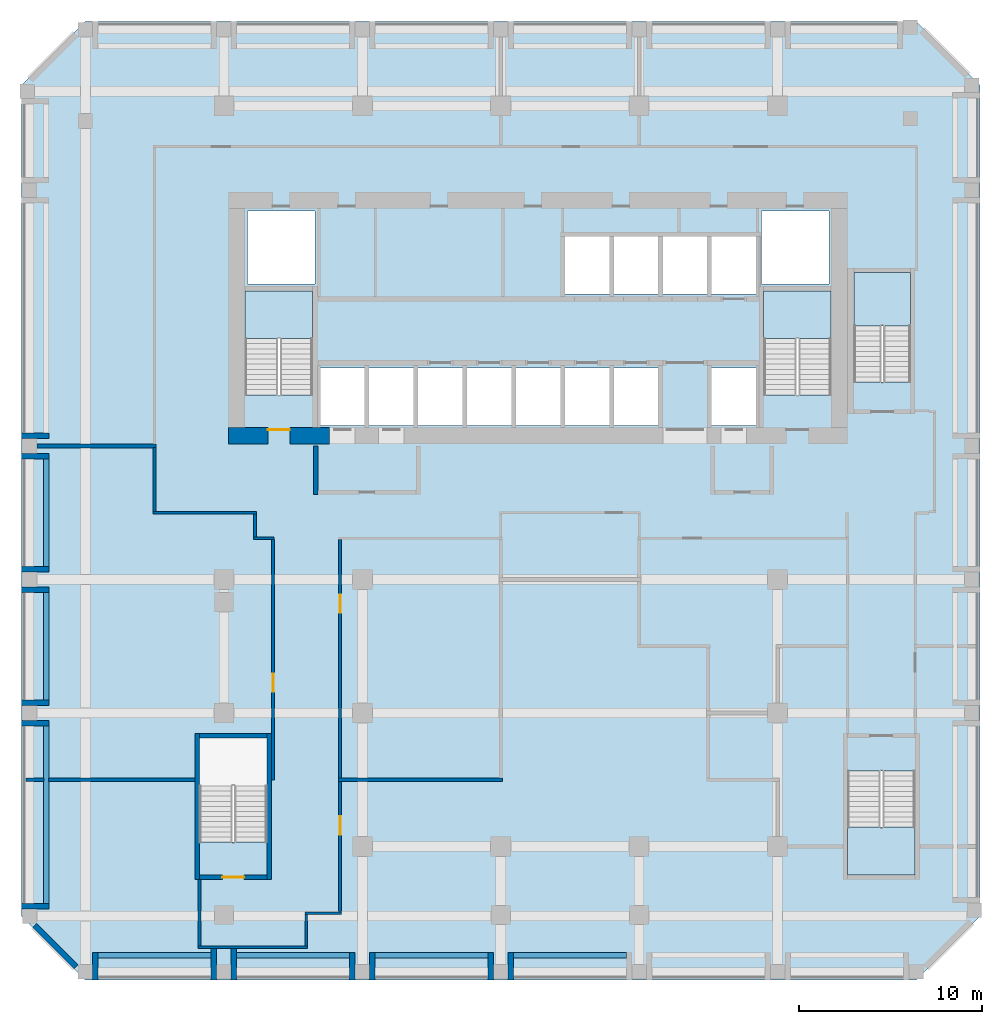
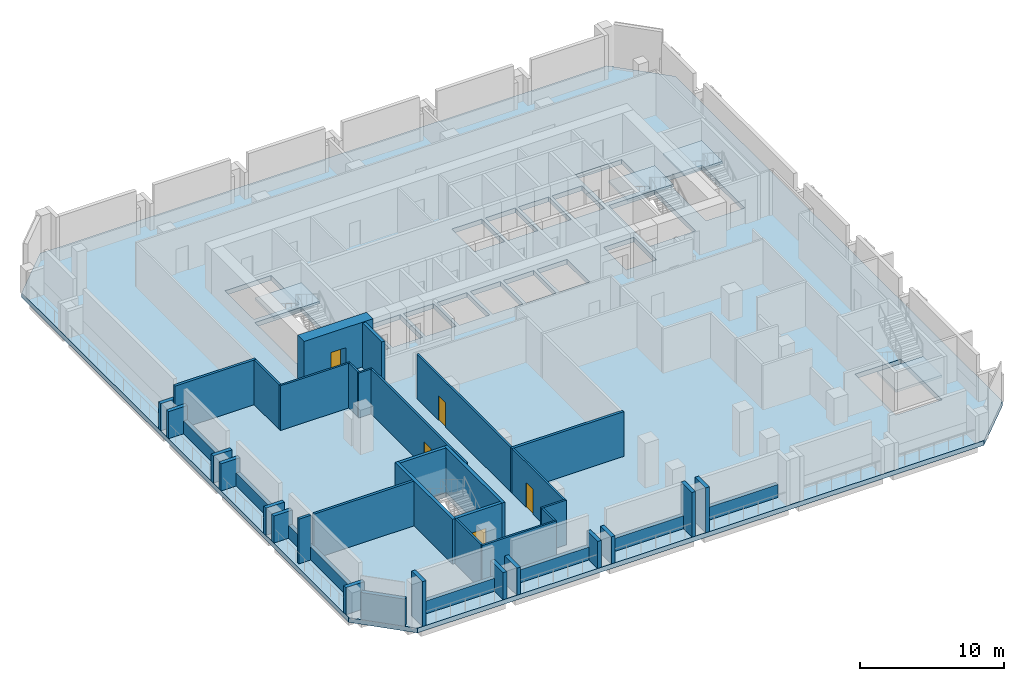
# One storey, part 2 of 10: 43 walls, 5 doors, 5 slabs, 5 openings, 4 elements without a shape of their own.
"""IFC4 building model written with IfcOpenShell, lengths in metres."""

from ifc_helpers import new_model, si_unit, direction, frame, frame_2d, origin, place, context, subcontext, project, spatial, polyline, rectangle, outline, extrude, source, transform, mapped, material, layer, layer_set, type_object, element, fill, aggregate, save


model = new_model("IFC4")

# Units and contexts
model_context = context("Model", 3, precision=1e-05, world=origin(), true_north=direction((0.0, 1.0)))
body_context = subcontext(model_context, "Body", "Model", "MODEL_VIEW")
ifc_project = project(units=[si_unit("LENGTHUNIT", "METRE"), si_unit("AREAUNIT", "SQUARE_METRE"), si_unit("VOLUMEUNIT", "CUBIC_METRE"), si_unit("PLANEANGLEUNIT", "RADIAN"), si_unit("MASSUNIT", "GRAM", prefix="KILO")], contexts=[model_context])

# Site, building, storey
site_placement = place(None, origin())
site = spatial("IfcSite", under=ifc_project, at=site_placement, CompositionType="ELEMENT")
building_placement = place(site_placement, origin())
building = spatial("IfcBuilding", under=site, at=building_placement, Name="Kilnfold Tower and Market Hall", CompositionType="ELEMENT")
storey_placement = place(building_placement, frame((0.0, 0.0, 164.300048828125)))
storey = spatial("IfcBuildingStorey", under=building, at=storey_placement, Name="L38 Plant Transfer Level", CompositionType="ELEMENT", Elevation=164.300048828125)

# Slab
ifc_material_1 = material(Name="Concrete C45", Category="concrete")
ifc_layer_1 = layer(ifc_material_1, 0.39990234375)
ifc_layer_set_1 = layer_set([ifc_layer_1], Name="Concrete C45")
slab_type_1 = type_object("IfcSlabType", Name="FLOOR SLAB 400", PredefinedType="FLOOR", material=ifc_layer_set_1)
shared_shape_1 = source(origin(), body_context, "Body", "SweptSolid", [
    extrude(outline(polyline([(-23.75, -21.25), (21.75, -21.25), (25.25, -17.75), (25.25, 27.75), (21.75, 31.25), (-23.75, 31.25), (-27.25, 27.75), (-27.25, -17.75), (-23.75, -21.25)]), holes=[polyline([(-13.800537109375, -13.699462890625), (-17.49951171875, -13.699462890625), (-17.49951171875, -8.00048828125), (-13.800537109375, -8.00048828125), (-13.800537109375, -13.699462890625)]), polyline([(-14.99951171875, 10.800537109375), (-14.99951171875, 16.49951171875), (-11.300537109375, 16.49951171875), (-11.300537109375, 10.800537109375), (-14.99951171875, 10.800537109375)]), polyline([(-11.175048828125, 16.875), (-14.875, 16.875), (-14.875, 20.875), (-11.175048828125, 20.875), (-11.175048828125, 16.875)]), polyline([(-8.455078125, 9.125), (-10.885009765625, 9.125), (-10.885009765625, 12.27490234375), (-8.455078125, 12.27490234375), (-8.455078125, 9.125)]), polyline([(-5.77490234375, 9.125), (-8.205078125, 9.125), (-8.205078125, 12.27490234375), (-5.77490234375, 12.27490234375), (-5.77490234375, 9.125)]), polyline([(-3.094970703125, 9.125), (-5.52490234375, 9.125), (-5.52490234375, 12.27490234375), (-3.094970703125, 12.27490234375), (-3.094970703125, 9.125)]), polyline([(-0.4150390625, 9.125), (-2.844970703125, 9.125), (-2.844970703125, 12.27490234375), (-0.4150390625, 12.27490234375), (-0.4150390625, 9.125)]), polyline([(2.264892578125, 9.125), (-0.1650390625, 9.125), (-0.1650390625, 12.27490234375), (2.264892578125, 12.27490234375), (2.264892578125, 9.125)]), polyline([(4.945068359375, 9.125), (2.514892578125, 9.125), (2.514892578125, 12.27490234375), (4.945068359375, 12.27490234375), (4.945068359375, 9.125)]), polyline([(2.514892578125, 16.324951171875), (2.514892578125, 19.47509765625), (4.945068359375, 19.47509765625), (4.945068359375, 16.324951171875), (2.514892578125, 16.324951171875)]), polyline([(7.625, 9.125), (5.195068359375, 9.125), (5.195068359375, 12.27490234375), (7.625, 12.27490234375), (7.625, 9.125)]), polyline([(7.625, 16.324951171875), (5.195068359375, 16.324951171875), (5.195068359375, 19.47509765625), (7.625, 19.47509765625), (7.625, 16.324951171875)]), polyline([(10.304931640625, 16.324951171875), (7.875, 16.324951171875), (7.875, 19.47509765625), (10.304931640625, 19.47509765625), (10.304931640625, 16.324951171875)]), polyline([(10.554931640625, 9.125), (10.554931640625, 12.27490234375), (12.985107421875, 12.27490234375), (12.985107421875, 9.125), (10.554931640625, 9.125)]), polyline([(10.554931640625, 16.324951171875), (10.554931640625, 19.47509765625), (12.985107421875, 19.47509765625), (12.985107421875, 16.324951171875), (10.554931640625, 16.324951171875)]), polyline([(13.27490234375, 16.875), (13.27490234375, 20.875), (16.97509765625, 20.875), (16.97509765625, 16.875), (13.27490234375, 16.875)]), polyline([(13.400390625, 10.800537109375), (13.400390625, 16.49951171875), (17.099609375, 16.49951171875), (17.099609375, 10.800537109375), (13.400390625, 10.800537109375)]), polyline([(18.00048828125, -9.800537109375), (21.699462890625, -9.800537109375), (21.699462890625, -15.49951171875), (18.00048828125, -15.49951171875), (18.00048828125, -9.800537109375)]), polyline([(21.449462890625, 11.50048828125), (18.3505859375, 11.50048828125), (18.3505859375, 17.49951171875), (21.449462890625, 17.49951171875), (21.449462890625, 11.50048828125)])]), origin(), (0.0, 0.0, 1.0), 0.400146484375),
])
slab_1_placement = place(storey_placement, frame((0.0, 0.0, -0.400146484375)))
element("IfcSlab", 1, at=slab_1_placement, inside=storey, type_object=slab_type_1, Name="Floor slab L38", PredefinedType="FLOOR", context=body_context, shape_type="MappedRepresentation", body=[
    mapped(shared_shape_1, transform((0.0, 0.0, 0.0))),
])

# Stair, slab
ifc_material_2 = material(Name="Concrete C40/50", Category="concrete")
stair_type_1 = type_object("IfcStairType", Name="CORE STAIR 1800", PredefinedType="HALF_TURN_STAIR", material=ifc_material_2)
stair_1_placement = place(storey_placement, origin())
stair_1 = element("IfcStair", 2, at=stair_1_placement, inside=storey, type_object=stair_type_1, Name="L38 Plant Transfer Level ST1", PredefinedType="HALF_TURN_STAIR")
ifc_material_3 = material(Name="Concrete C40/50", Category="concrete")
ifc_layer_2 = layer(ifc_material_3, 0.199951171875)
ifc_layer_set_2 = layer_set([ifc_layer_2], Name="Concrete C40/50")
slab_type_2 = type_object("IfcSlabType", Name="CORE STAIR LANDING 200", PredefinedType="LANDING", material=ifc_layer_set_2)
shared_shape_2 = source(origin(), body_context, "Body", "SweptSolid", [
    extrude(outline(polyline([(-11.300048828125, 13.8798828125), (-11.300048828125, 16.5), (-15.0, 16.5), (-15.0, 13.8798828125), (-11.300048828125, 13.8798828125)])), origin(), (0.0, 0.0, 1.0), 0.199951171875),
])
slab_2_placement = place(storey_placement, frame((0.0, 0.0, 1.89990234375)))
slab_2 = element("IfcSlab", 3, at=slab_2_placement, type_object=slab_type_2, Name="ST1 landing 1", PredefinedType="LANDING", context=body_context, shape_type="MappedRepresentation", body=[
    mapped(shared_shape_2, transform((0.0, 0.0, 0.0))),
])
aggregate(stair_1, [slab_2])

stair_2_placement = place(storey_placement, origin())
stair_2 = element("IfcStair", 4, at=stair_2_placement, inside=storey, type_object=stair_type_1, Name="L38 Plant Transfer Level ST2", PredefinedType="HALF_TURN_STAIR")
shared_shape_3 = source(origin(), body_context, "Body", "SweptSolid", [
    extrude(outline(polyline([(17.10009765625, 13.8798828125), (17.10009765625, 16.5), (13.39990234375, 16.5), (13.39990234375, 13.8798828125), (17.10009765625, 13.8798828125)])), origin(), (0.0, 0.0, 1.0), 0.199951171875),
])
slab_3_placement = place(storey_placement, frame((0.0, 0.0, 1.89990234375)))
slab_3 = element("IfcSlab", 5, at=slab_3_placement, type_object=slab_type_2, Name="ST2 landing 1", PredefinedType="LANDING", context=body_context, shape_type="MappedRepresentation", body=[
    mapped(shared_shape_3, transform((0.0, 0.0, 0.0))),
])
aggregate(stair_2, [slab_3])

stair_3_placement = place(storey_placement, origin())
stair_3 = element("IfcStair", 6, at=stair_3_placement, inside=storey, type_object=stair_type_1, Name="L38 Plant Transfer Level ST4", PredefinedType="HALF_TURN_STAIR")
shared_shape_4 = source(origin(), body_context, "Body", "SweptSolid", [
    extrude(outline(polyline([(18.0, -12.8798828125), (18.0, -15.5), (21.699951171875, -15.5), (21.699951171875, -12.8798828125), (18.0, -12.8798828125)])), origin(), (0.0, 0.0, 1.0), 0.199951171875),
])
slab_4_placement = place(storey_placement, frame((0.0, 0.0, 1.89990234375)))
slab_4 = element("IfcSlab", 7, at=slab_4_placement, type_object=slab_type_2, Name="ST4 landing 1", PredefinedType="LANDING", context=body_context, shape_type="MappedRepresentation", body=[
    mapped(shared_shape_4, transform((0.0, 0.0, 0.0))),
])
aggregate(stair_3, [slab_4])

ifc_material_4 = material(Name="Concrete C40/50", Category="concrete")
stair_type_2 = type_object("IfcStairType", Name="CORE STAIR 1500", PredefinedType="HALF_TURN_STAIR", material=ifc_material_4)
stair_4_placement = place(storey_placement, origin())
stair_4 = element("IfcStair", 8, at=stair_4_placement, inside=storey, type_object=stair_type_2, Name="L38 Plant Transfer Level ST5", PredefinedType="HALF_TURN_STAIR")
shared_shape_5 = source(origin(), body_context, "Body", "SweptSolid", [
    extrude(outline(polyline([(21.449951171875, 14.580078125), (21.449951171875, 17.5), (18.35009765625, 17.5), (18.35009765625, 14.580078125), (21.449951171875, 14.580078125)])), origin(), (0.0, 0.0, 1.0), 0.199951171875),
])
slab_5_placement = place(storey_placement, frame((0.0, 0.0, 1.89990234375)))
slab_5 = element("IfcSlab", 9, at=slab_5_placement, type_object=slab_type_2, Name="ST5 landing 1", PredefinedType="LANDING", context=body_context, shape_type="MappedRepresentation", body=[
    mapped(shared_shape_5, transform((0.0, 0.0, 0.0))),
])
aggregate(stair_4, [slab_5])

# Walls
ifc_material_5 = material(Name="Gypsum board on steel studs", Category="steel")
ifc_layer_3 = layer(ifc_material_5, 0.14990234375)
ifc_layer_set_3 = layer_set([ifc_layer_3], Name="Gypsum board on steel studs")
wall_type_1 = type_object("IfcWallType", Name="WALL CORRIDOR 150", PredefinedType="PARTITIONING", material=ifc_layer_set_3)
wall_1_placement = place(storey_placement, frame((-20.033935546875, 4.343994140625, 0.0), z_axis=(0.0, 0.0, 1.0), x_axis=(1.0, 0.0, 0.0)))
element("IfcWall", 10, at=wall_1_placement, inside=storey, type_object=wall_type_1, Name="Partition LY25.1", PredefinedType="PARTITIONING", context=body_context, shape_type="SweptSolid", body=[
    extrude(rectangle(XDim=5.64892578125, YDim=0.14990234375, at=frame_2d((2.824462890625, 0.0))), origin(), (0.0, 0.0, 1.0), 3.800048828125),
])
wall_2_placement = place(storey_placement, frame((-19.958984375, 4.4189453125, 0.0), z_axis=(0.0, 0.0, 1.0), x_axis=(0.0, 1.0, 0.0)))
element("IfcWall", 11, at=wall_2_placement, inside=storey, type_object=wall_type_1, Name="Partition LY25.2", PredefinedType="PARTITIONING", context=body_context, shape_type="SweptSolid", body=[
    extrude(rectangle(XDim=3.490966796875, YDim=0.14990234375, at=frame_2d((1.74560546875, 0.0))), origin(), (0.0, 0.0, 1.0), 3.800048828125),
])

# Wall, opening, door
wall_3_placement = place(storey_placement, frame((-13.469970703125, 2.875, 0.0), z_axis=(0.0, 0.0, 1.0), x_axis=(0.0, -1.0, 0.0)))
wall_3 = element("IfcWall", 12, at=wall_3_placement, inside=storey, type_object=wall_type_1, Name="Partition LY25.3", PredefinedType="PARTITIONING", context=body_context, shape_type="SweptSolid", body=[
    extrude(rectangle(XDim=13.1669921875, YDim=0.14990234375, at=frame_2d((6.58349609375, 0.0))), origin(), (0.0, 0.0, 1.0), 3.800048828125),
])
opening_1_placement = place(wall_3_placement, frame((7.341064453125, 0.0, 0.0)))
opening_1 = element("IfcOpeningElement", 13, at=opening_1_placement, cuts=wall_3, Name="Opening D4", PredefinedType="OPENING", context=body_context, shape_type="SweptSolid", body=[
    extrude(rectangle(XDim=1.0, YDim=2.10009765625, at=frame_2d((0.5, 1.050048828125))), frame((0.0, 0.0849609375, 0.0), z_axis=(0.0, -1.0, 0.0), x_axis=(1.0, 0.0, 0.0)), (0.0, 0.0, 1.0), 0.169921875),
])
ifc_material_6 = material(Name="Timber veneer door leaf in steel frame", Category="steel")
door_type_1 = type_object("IfcDoorType", Name="DOOR SERVICE 1000 X2100", OperationType="NOTDEFINED", PredefinedType="DOOR", material=ifc_material_6)
door_1_placement = place(opening_1_placement, origin())
door_1 = element("IfcDoor", 14, at=door_1_placement, inside=storey, type_object=door_type_1, Name="Door D4", OperationType="SINGLE_SWING_RIGHT", OverallHeight=2.10009765625, OverallWidth=1.0, PredefinedType="DOOR", context=body_context, shape_type="SweptSolid", body=[
    extrude(rectangle(XDim=1.0, YDim=2.10009765625, at=frame_2d((0.5, 1.050048828125))), frame((0.0, 0.02490234375, 0.0), z_axis=(0.0, -1.0, 0.0), x_axis=(1.0, 0.0, 0.0)), (0.0, 0.0, 1.0), 0.050048828125),
])
fill(opening_1, door_1)

# Walls
wall_4_placement = place(storey_placement, frame((-14.534912109375, 2.949951171875, 0.0), z_axis=(0.0, 0.0, 1.0), x_axis=(1.0, 0.0, 0.0)))
element("IfcWall", 15, at=wall_4_placement, inside=storey, type_object=wall_type_1, Name="Partition LY25.4", PredefinedType="PARTITIONING", context=body_context, shape_type="SweptSolid", body=[
    extrude(rectangle(XDim=1.10986328125, YDim=0.14990234375, at=frame_2d((0.554931640625, 0.0))), origin(), (0.0, 0.0, 1.0), 3.800048828125),
])
wall_5_placement = place(storey_placement, frame((-14.4599609375, 4.26904296875, 0.0), z_axis=(0.0, 0.0, 1.0), x_axis=(0.0, -1.0, 0.0)))
element("IfcWall", 16, at=wall_5_placement, inside=storey, type_object=wall_type_1, Name="Partition LY25.5", PredefinedType="PARTITIONING", context=body_context, shape_type="SweptSolid", body=[
    extrude(rectangle(XDim=1.244140625, YDim=0.14990234375, at=frame_2d((0.6220703125, 0.0))), origin(), (0.0, 0.0, 1.0), 3.800048828125),
])

# Wall, opening, door
wall_6_placement = place(storey_placement, frame((-9.800048828125, -10.19189453125, 0.0), z_axis=(0.0, 0.0, 1.0), x_axis=(0.0, 1.0, 0.0)))
wall_6 = element("IfcWall", 17, at=wall_6_placement, inside=storey, type_object=wall_type_1, Name="Partition LY25.7", PredefinedType="PARTITIONING", context=body_context, shape_type="SweptSolid", body=[
    extrude(rectangle(XDim=13.06689453125, YDim=0.14990234375, at=frame_2d((6.533447265625, 0.0))), origin(), (0.0, 0.0, 1.0), 3.800048828125),
])
opening_2_placement = place(wall_6_placement, frame((9.051025390625, 0.0, 0.0)))
opening_2 = element("IfcOpeningElement", 18, at=opening_2_placement, cuts=wall_6, Name="Opening D4", PredefinedType="OPENING", context=body_context, shape_type="SweptSolid", body=[
    extrude(rectangle(XDim=1.0, YDim=2.10009765625, at=frame_2d((0.5, 1.050048828125))), frame((0.0, 0.0849609375, 0.0), z_axis=(0.0, -1.0, 0.0), x_axis=(1.0, 0.0, 0.0)), (0.0, 0.0, 1.0), 0.169921875),
])
door_2_placement = place(opening_2_placement, origin())
door_2 = element("IfcDoor", 19, at=door_2_placement, inside=storey, type_object=door_type_1, Name="Door D4", OperationType="SINGLE_SWING_LEFT", OverallHeight=2.10009765625, OverallWidth=1.0, PredefinedType="DOOR", context=body_context, shape_type="SweptSolid", body=[
    extrude(rectangle(XDim=1.0, YDim=2.10009765625, at=frame_2d((0.5, 1.050048828125))), frame((0.0, 0.02490234375, 0.0), z_axis=(0.0, -1.0, 0.0), x_axis=(1.0, 0.0, 0.0)), (0.0, 0.0, 1.0), 0.050048828125),
])
fill(opening_2, door_2)

wall_7_placement = place(storey_placement, frame((-9.800048828125, -17.52490234375, 0.0), z_axis=(0.0, 0.0, 1.0), x_axis=(0.0, 1.0, 0.0)))
wall_7 = element("IfcWall", 20, at=wall_7_placement, inside=storey, type_object=wall_type_1, Name="Partition LY25.8", PredefinedType="PARTITIONING", context=body_context, shape_type="SweptSolid", body=[
    extrude(rectangle(XDim=7.15283203125, YDim=0.14990234375, at=frame_2d((3.576416015625, 0.0))), origin(), (0.0, 0.0, 1.0), 3.800048828125),
])
opening_3_placement = place(wall_7_placement, frame((4.237060546875, 0.0, 0.0)))
opening_3 = element("IfcOpeningElement", 21, at=opening_3_placement, cuts=wall_7, Name="Opening D4", PredefinedType="OPENING", context=body_context, shape_type="SweptSolid", body=[
    extrude(rectangle(XDim=1.0, YDim=2.10009765625, at=frame_2d((0.5, 1.050048828125))), frame((0.0, 0.0849609375, 0.0), z_axis=(0.0, -1.0, 0.0), x_axis=(1.0, 0.0, 0.0)), (0.0, 0.0, 1.0), 0.169921875),
])
door_3_placement = place(opening_3_placement, origin())
door_3 = element("IfcDoor", 22, at=door_3_placement, inside=storey, type_object=door_type_1, Name="Door D4", OperationType="SINGLE_SWING_LEFT", OverallHeight=2.10009765625, OverallWidth=1.0, PredefinedType="DOOR", context=body_context, shape_type="SweptSolid", body=[
    extrude(rectangle(XDim=1.0, YDim=2.10009765625, at=frame_2d((0.5, 1.050048828125))), frame((0.0, 0.02490234375, 0.0), z_axis=(0.0, -1.0, 0.0), x_axis=(1.0, 0.0, 0.0)), (0.0, 0.0, 1.0), 0.050048828125),
])
fill(opening_3, door_3)

# Walls
wall_8_placement = place(storey_placement, frame((-11.72509765625, -17.60009765625, 0.0), z_axis=(0.0, 0.0, 1.0), x_axis=(1.0, 0.0, 0.0)))
element("IfcWall", 23, at=wall_8_placement, inside=storey, type_object=wall_type_1, Name="Partition LY25.9", PredefinedType="PARTITIONING", context=body_context, shape_type="SweptSolid", body=[
    extrude(rectangle(XDim=2.0, YDim=0.14990234375, at=frame_2d((1.0, 0.0))), origin(), (0.0, 0.0, 1.0), 3.800048828125),
])
wall_9_placement = place(storey_placement, frame((-11.64990234375, -19.375, 0.0), z_axis=(0.0, 0.0, 1.0), x_axis=(0.0, 1.0, 0.0)))
element("IfcWall", 24, at=wall_9_placement, inside=storey, type_object=wall_type_1, Name="Partition LY25.10", PredefinedType="PARTITIONING", context=body_context, shape_type="SweptSolid", body=[
    extrude(rectangle(XDim=1.699951171875, YDim=0.14990234375, at=frame_2d((0.85009765625, 0.0))), origin(), (0.0, 0.0, 1.0), 3.800048828125),
])
wall_10_placement = place(storey_placement, frame((-17.574951171875, -19.449951171875, 0.0), z_axis=(0.0, 0.0, 1.0), x_axis=(1.0, 0.0, 0.0)))
element("IfcWall", 25, at=wall_10_placement, inside=storey, type_object=wall_type_1, Name="Partition LY25.11", PredefinedType="PARTITIONING", context=body_context, shape_type="SweptSolid", body=[
    extrude(rectangle(XDim=6.0, YDim=0.14990234375, at=frame_2d((3.0, 0.0))), origin(), (0.0, 0.0, 1.0), 3.800048828125),
])
wall_11_placement = place(storey_placement, frame((-17.5, -15.75, 0.0), z_axis=(0.0, 0.0, 1.0), x_axis=(0.0, -1.0, 0.0)))
element("IfcWall", 26, at=wall_11_placement, inside=storey, type_object=wall_type_1, Name="Partition LY25.12", PredefinedType="PARTITIONING", context=body_context, shape_type="SweptSolid", body=[
    extrude(rectangle(XDim=3.625, YDim=0.14990234375, at=frame_2d((1.8125, 0.0))), origin(), (0.0, 0.0, 1.0), 3.800048828125),
])
ifc_material_7 = material(Name="Gypsum board on steel studs", Category="steel")
ifc_layer_4 = layer(ifc_material_7, 0.199951171875)
ifc_layer_set_4 = layer_set([ifc_layer_4], Name="Gypsum board on steel studs")
wall_type_2 = type_object("IfcWallType", Name="WALL PARTY 200", PredefinedType="PARTITIONING", material=ifc_layer_set_4)
wall_12_placement = place(storey_placement, frame((-27.0, -10.281982421875, 0.0), z_axis=(0.0, 0.0, 1.0), x_axis=(1.0, 0.0, 0.0)))
element("IfcWall", 27, at=wall_12_placement, inside=storey, type_object=wall_type_2, Name="Partition LY25.30", PredefinedType="PARTITIONING", context=body_context, shape_type="SweptSolid", body=[
    extrude(rectangle(XDim=0.97998046875, YDim=0.199951171875, at=frame_2d((0.489990234375, 0.0))), origin(), (0.0, 0.0, 1.0), 3.800048828125),
])
wall_13_placement = place(storey_placement, frame((-25.780029296875, -10.281982421875, 0.0), z_axis=(0.0, 0.0, 1.0), x_axis=(1.0, 0.0, 0.0)))
element("IfcWall", 28, at=wall_13_placement, inside=storey, type_object=wall_type_2, Name="Partition LY25.31", PredefinedType="PARTITIONING", context=body_context, shape_type="SweptSolid", body=[
    extrude(rectangle(XDim=8.030029296875, YDim=0.199951171875, at=frame_2d((4.01513671875, 0.0))), origin(), (0.0, 0.0, 1.0), 3.800048828125),
])
wall_14_placement = place(storey_placement, frame((-19.885009765625, 8.0, 0.0), z_axis=(0.0, 0.0, 1.0), x_axis=(-1.0, 0.0, 0.0)))
element("IfcWall", 29, at=wall_14_placement, inside=storey, type_object=wall_type_2, Name="Partition LY25.32", PredefinedType="PARTITIONING", context=body_context, shape_type="SweptSolid", body=[
    extrude(rectangle(XDim=6.514892578125, YDim=0.199951171875, at=frame_2d((3.25732421875, 0.0))), origin(), (0.0, 0.0, 1.0), 3.800048828125),
])
wall_15_placement = place(storey_placement, frame((-9.8740234375, -10.281982421875, 0.0), z_axis=(0.0, 0.0, 1.0), x_axis=(1.0, 0.0, 0.0)))
element("IfcWall", 30, at=wall_15_placement, inside=storey, type_object=wall_type_2, Name="Partition LY25.34", PredefinedType="PARTITIONING", context=body_context, shape_type="SweptSolid", body=[
    extrude(rectangle(XDim=8.97412109375, YDim=0.199951171875, at=frame_2d((4.487060546875, 0.0))), origin(), (0.0, 0.0, 1.0), 3.800048828125),
])

# Wall, opening, door
ifc_material_8 = material(Name="Concrete C70", Category="concrete")
ifc_layer_5 = layer(ifc_material_8, 0.25)
ifc_layer_set_5 = layer_set([ifc_layer_5], Name="Concrete C70")
wall_type_3 = type_object("IfcWallType", Name="CORE WALL 250 C70", PredefinedType="SHEAR", material=ifc_layer_set_5)
shared_shape_6 = source(origin(), body_context, "Body", "SweptSolid", [
    extrude(rectangle(XDim=3.699951171875, YDim=0.25, at=frame_2d((1.85009765625, 0.0))), origin(), (0.0, 0.0, 1.0), 3.800048828125),
])
wall_16_placement = place(storey_placement, frame((-17.5, -15.625, 0.0), z_axis=(0.0, 0.0, 1.0), x_axis=(1.0, 0.0, 0.0)))
wall_16 = element("IfcWall", 31, at=wall_16_placement, inside=storey, type_object=wall_type_3, Name="Stair enclosure ST3", PredefinedType="SHEAR", context=body_context, shape_type="MappedRepresentation", body=[
    mapped(shared_shape_6, transform((0.0, 0.0, 0.0))),
])
opening_4_placement = place(wall_16_placement, frame((1.25, 0.0, 0.0)))
opening_4 = element("IfcOpeningElement", 32, at=opening_4_placement, cuts=wall_16, Name="Opening SD1", PredefinedType="OPENING", context=body_context, shape_type="SweptSolid", body=[
    extrude(rectangle(XDim=1.199951171875, YDim=2.10009765625, at=frame_2d((0.60009765625, 1.050048828125))), frame((0.0, 0.135009765625, 0.0), z_axis=(0.0, -1.0, 0.0), x_axis=(1.0, 0.0, 0.0)), (0.0, 0.0, 1.0), 0.27001953125),
])
ifc_material_9 = material(Name="Steel door set with fire-resisting leaf", Category="steel")
door_type_2 = type_object("IfcDoorType", Name="STAIR FLOOR DOOR 1200X2100", OperationType="NOTDEFINED", PredefinedType="DOOR", material=ifc_material_9)
door_4_placement = place(opening_4_placement, origin())
door_4 = element("IfcDoor", 33, at=door_4_placement, inside=storey, type_object=door_type_2, Name="Exit stair ST3 door", OperationType="DOUBLE_DOOR_SINGLE_SWING", OverallHeight=2.10009765625, OverallWidth=1.199951171875, PredefinedType="DOOR", context=body_context, shape_type="SweptSolid", body=[
    extrude(rectangle(XDim=1.199951171875, YDim=2.10009765625, at=frame_2d((0.60009765625, 1.050048828125))), frame((0.0, 0.02490234375, 0.0), z_axis=(0.0, -1.0, 0.0), x_axis=(1.0, 0.0, 0.0)), (0.0, 0.0, 1.0), 0.050048828125),
])
fill(opening_4, door_4)

# Walls
wall_17_placement = place(storey_placement, frame((-17.5, -7.875, 0.0), z_axis=(0.0, 0.0, 1.0), x_axis=(1.0, 0.0, 0.0)))
element("IfcWall", 34, at=wall_17_placement, inside=storey, type_object=wall_type_3, Name="Stair enclosure ST3", PredefinedType="SHEAR", context=body_context, shape_type="MappedRepresentation", body=[
    mapped(shared_shape_6, transform((0.0, 0.0, 0.0))),
])
shared_shape_7 = source(origin(), body_context, "Body", "SweptSolid", [
    extrude(rectangle(XDim=8.0, YDim=0.25, at=frame_2d((4.0, 0.0))), origin(), (0.0, 0.0, 1.0), 3.800048828125),
])
for number, where, z_axis, x_axis, name in (
    (35, (-17.625, -15.75, 0.0), (0.0, 0.0, 1.0), (0.0, 1.0, 0.0), "Stair enclosure ST3"),
    (36, (-13.675048828125, -15.75, 0.0), (0.0, 0.0, 1.0), (0.0, 1.0, 0.0), "Stair enclosure ST3"),
):
    element("IfcWall", number, at=place(storey_placement, frame(where, z_axis=z_axis, x_axis=x_axis)), inside=storey, type_object=wall_type_3, Name=name, PredefinedType="SHEAR", context=body_context, shape_type="MappedRepresentation", body=[
        mapped(shared_shape_7, transform((0.0, 0.0, 0.0))),
    ])

# Wall, opening, door
ifc_material_10 = material(Name="Concrete C70", Category="concrete")
ifc_layer_6 = layer(ifc_material_10, 0.89990234375)
ifc_layer_set_6 = layer_set([ifc_layer_6], Name="Concrete C70")
wall_type_4 = type_object("IfcWallType", Name="CORE WALL 900 C70", PredefinedType="SHEAR", material=ifc_layer_set_6)
shared_shape_8 = source(origin(), body_context, "Body", "SweptSolid", [
    extrude(rectangle(XDim=5.52978515625, YDim=0.89990234375, at=frame_2d((2.764892578125, 0.0))), origin(), (0.0, 0.0, 1.0), 3.800048828125),
])
wall_18_placement = place(storey_placement, frame((-15.89990234375, 8.550048828125, 0.0), z_axis=(0.0, 0.0, 1.0), x_axis=(1.0, 0.0, 0.0)))
wall_18 = element("IfcWall", 37, at=wall_18_placement, inside=storey, type_object=wall_type_4, Name="Core outer wall south", PredefinedType="SHEAR", context=body_context, shape_type="MappedRepresentation", body=[
    mapped(shared_shape_8, transform((0.0, 0.0, 0.0))),
])
opening_5_placement = place(wall_18_placement, frame((2.14990234375, 0.0, 0.0)))
opening_5 = element("IfcOpeningElement", 38, at=opening_5_placement, cuts=wall_18, Name="Opening SD1", PredefinedType="OPENING", context=body_context, shape_type="SweptSolid", body=[
    extrude(rectangle(XDim=1.199951171875, YDim=2.10009765625, at=frame_2d((0.60009765625, 1.050048828125))), frame((0.0, 0.4599609375, 0.0), z_axis=(0.0, -1.0, 0.0), x_axis=(1.0, 0.0, 0.0)), (0.0, 0.0, 1.0), 0.919921875),
])
door_5_placement = place(opening_5_placement, origin())
door_5 = element("IfcDoor", 39, at=door_5_placement, inside=storey, type_object=door_type_2, Name="Exit stair ST1 door", OperationType="DOUBLE_DOOR_SINGLE_SWING", OverallHeight=2.10009765625, OverallWidth=1.199951171875, PredefinedType="DOOR", context=body_context, shape_type="SweptSolid", body=[
    extrude(rectangle(XDim=1.199951171875, YDim=2.10009765625, at=frame_2d((0.60009765625, 1.050048828125))), frame((0.0, 0.35498046875, 0.0), z_axis=(0.0, -1.0, 0.0), x_axis=(1.0, 0.0, 0.0)), (0.0, 0.0, 1.0), 0.050048828125),
])
fill(opening_5, door_5)

# Walls
ifc_material_11 = material(Name="Precast concrete C50/60", Category="concrete")
ifc_layer_7 = layer(ifc_material_11, 0.300048828125)
ifc_layer_set_7 = layer_set([ifc_layer_7], Name="Precast concrete C50/60")
wall_type_5 = type_object("IfcWallType", Name="PRECAST WALL 300", PredefinedType="SOLIDWALL", material=ifc_layer_set_7)
shared_shape_9 = source(origin(), body_context, "Body", "SweptSolid", [
    extrude(rectangle(XDim=1.5, YDim=0.300048828125, at=frame_2d((0.75, 0.0))), origin(), (0.0, 0.0, 1.0), 2.300048828125),
])
for number, where, z_axis, x_axis, name in (
    (40, (-9.13330078125, -21.25, 0.0), (0.0, 0.0, 1.0), (0.0, 1.0, 0.0), "Plant wall L38 S"),
    (41, (-8.033203125, -21.25, 0.0), (0.0, 0.0, 1.0), (0.0, 1.0, 0.0), "Plant wall L38 S"),
    (42, (-27.25, 8.550048828125, 0.0), (0.0, 0.0, 1.0), (1.0, 0.0, 0.0), "Plant wall L38 W"),
    (43, (-27.25, 7.449951171875, 0.0), (0.0, 0.0, 1.0), (1.0, 0.0, 0.0), "Plant wall L38 W"),
    (44, (-27.25, 1.237548828125, 0.0), (0.0, 0.0, 1.0), (1.0, 0.0, 0.0), "Plant wall L38 W"),
    (45, (-27.25, 0.137451171875, 0.0), (0.0, 0.0, 1.0), (1.0, 0.0, 0.0), "Plant wall L38 W"),
    (46, (-27.25, -6.074951171875, 0.0), (0.0, 0.0, 1.0), (1.0, 0.0, 0.0), "Plant wall L38 W"),
    (47, (-27.25, -7.175048828125, 0.0), (0.0, 0.0, 1.0), (1.0, 0.0, 0.0), "Plant wall L38 W"),
    (48, (-27.25, -17.199951171875, 0.0), (0.0, 0.0, 1.0), (1.0, 0.0, 0.0), "Plant wall L38 W"),
):
    element("IfcWall", number, at=place(storey_placement, frame(where, z_axis=z_axis, x_axis=x_axis)), inside=storey, type_object=wall_type_5, Name=name, PredefinedType="SOLIDWALL", context=body_context, shape_type="MappedRepresentation", body=[
        mapped(shared_shape_9, transform((0.0, 0.0, 0.0))),
    ])
shared_shape_10 = source(origin(), body_context, "Body", "SweptSolid", [
    extrude(rectangle(XDim=1.5, YDim=0.300048828125, at=frame_2d((0.75, 0.0))), origin(), (0.0, 0.0, 1.0), 3.800048828125),
])
for number, where, z_axis, x_axis, name in (
    (49, (-23.199951171875, -21.25, 0.0), (0.0, 0.0, 1.0), (0.0, 1.0, 0.0), "Plant wall L38 S"),
    (50, (-1.550048828125, -21.25, 0.0), (0.0, 0.0, 1.0), (0.0, 1.0, 0.0), "Plant wall L38 S"),
    (51, (-0.449951171875, -21.25, 0.0), (0.0, 0.0, 1.0), (0.0, 1.0, 0.0), "Plant wall L38 S"),
):
    element("IfcWall", number, at=place(storey_placement, frame(where, z_axis=z_axis, x_axis=x_axis)), inside=storey, type_object=wall_type_5, Name=name, PredefinedType="SOLIDWALL", context=body_context, shape_type="MappedRepresentation", body=[
        mapped(shared_shape_10, transform((0.0, 0.0, 0.0))),
    ])
shared_shape_11 = source(origin(), body_context, "Body", "SweptSolid", [
    extrude(rectangle(XDim=6.183349609375, YDim=0.300048828125, at=frame_2d((3.091796875, 0.0))), origin(), (0.0, 0.0, 1.0), 1.099853515625),
])
for number, where, z_axis, x_axis, name in (
    (52, (-23.050048828125, -19.89990234375, 0.0), (0.0, 0.0, 1.0), (1.0, 0.0, 0.0), "Knee wall L38 S"),
    (53, (-7.88330078125, -19.89990234375, 0.0), (0.0, 0.0, 1.0), (1.0, 0.0, 0.0), "Knee wall L38 S"),
    (54, (-0.300048828125, -19.89990234375, 0.0), (0.0, 0.0, 1.0), (1.0, 0.0, 0.0), "Knee wall L38 S"),
):
    element("IfcWall", number, at=place(storey_placement, frame(where, z_axis=z_axis, x_axis=x_axis)), inside=storey, type_object=wall_type_5, Name=name, PredefinedType="SOLIDWALL", context=body_context, shape_type="MappedRepresentation", body=[
        mapped(shared_shape_11, transform((0.0, 0.0, 0.0))),
    ])
shared_shape_12 = source(origin(), body_context, "Body", "SweptSolid", [
    extrude(rectangle(XDim=1.72509765625, YDim=0.300048828125, at=frame_2d((0.862548828125, 0.0))), origin(), (0.0, 0.0, 1.0), 2.300048828125),
])
for number, where, z_axis, x_axis, name in (
    (55, (-16.716796875, -21.25, 0.0), (0.0, 0.0, 1.0), (0.0, 1.0, 0.0), "Plant wall L38 S"),
    (56, (-15.61669921875, -21.25, 0.0), (0.0, 0.0, 1.0), (0.0, 1.0, 0.0), "Plant wall L38 S"),
):
    element("IfcWall", number, at=place(storey_placement, frame(where, z_axis=z_axis, x_axis=x_axis)), inside=storey, type_object=wall_type_5, Name=name, PredefinedType="SOLIDWALL", context=body_context, shape_type="MappedRepresentation", body=[
        mapped(shared_shape_12, transform((0.0, 0.0, 0.0))),
    ])
shared_shape_13 = source(origin(), body_context, "Body", "SweptSolid", [
    extrude(rectangle(XDim=6.18359375, YDim=0.300048828125, at=frame_2d((3.091796875, 0.0))), origin(), (0.0, 0.0, 1.0), 1.099853515625),
])
wall_19_placement = place(storey_placement, frame((-15.466796875, -19.89990234375, 0.0), z_axis=(0.0, 0.0, 1.0), x_axis=(1.0, 0.0, 0.0)))
element("IfcWall", 57, at=wall_19_placement, inside=storey, type_object=wall_type_5, Name="Knee wall L38 S", PredefinedType="SOLIDWALL", context=body_context, shape_type="MappedRepresentation", body=[
    mapped(shared_shape_13, transform((0.0, 0.0, 0.0))),
])
shared_shape_14 = source(origin(), body_context, "Body", "SweptSolid", [
    extrude(rectangle(XDim=5.91259765625, YDim=0.300048828125, at=frame_2d((2.956298828125, 0.0))), origin(), (0.0, 0.0, 1.0), 1.099853515625),
])
for number, where, z_axis, x_axis, name in (
    (58, (-25.89990234375, 7.300048828125, 0.0), (0.0, 0.0, 1.0), (0.0, -1.0, 0.0), "Knee wall L38 W"),
    (59, (-25.89990234375, -0.012451171875, 0.0), (0.0, 0.0, 1.0), (0.0, -1.0, 0.0), "Knee wall L38 W"),
):
    element("IfcWall", number, at=place(storey_placement, frame(where, z_axis=z_axis, x_axis=x_axis)), inside=storey, type_object=wall_type_5, Name=name, PredefinedType="SOLIDWALL", context=body_context, shape_type="MappedRepresentation", body=[
        mapped(shared_shape_14, transform((0.0, 0.0, 0.0))),
    ])
shared_shape_15 = source(origin(), body_context, "Body", "SweptSolid", [
    extrude(rectangle(XDim=9.72509765625, YDim=0.300048828125, at=frame_2d((4.862548828125, 0.0))), origin(), (0.0, 0.0, 1.0), 1.099853515625),
])
wall_20_placement = place(storey_placement, frame((-25.89990234375, -7.324951171875, 0.0), z_axis=(0.0, 0.0, 1.0), x_axis=(0.0, -1.0, 0.0)))
element("IfcWall", 60, at=wall_20_placement, inside=storey, type_object=wall_type_5, Name="Knee wall L38 W", PredefinedType="SOLIDWALL", context=body_context, shape_type="MappedRepresentation", body=[
    mapped(shared_shape_15, transform((0.0, 0.0, 0.0))),
])
shared_shape_16 = source(origin(), body_context, "Body", "SweptSolid", [
    extrude(rectangle(XDim=3.18212890625, YDim=0.300048828125, at=frame_2d((1.591064453125, 0.0))), origin(), (0.0, 0.0, 1.0), 2.300048828125),
])
wall_21_placement = place(storey_placement, frame((-26.518798828125, -18.268798828125, 0.0), z_axis=(0.0, 0.0, 1.0), x_axis=(0.707068419229, -0.707145141063, 0.0)))
element("IfcWall", 61, at=wall_21_placement, inside=storey, type_object=wall_type_5, Name="Plant wall L38 SW", PredefinedType="SOLIDWALL", context=body_context, shape_type="MappedRepresentation", body=[
    mapped(shared_shape_16, transform((0.0, 0.0, 0.0))),
])
ifc_material_12 = material(Name="Gypsum shaft wall system")
ifc_layer_8 = layer(ifc_material_12, 0.25)
ifc_layer_set_8 = layer_set([ifc_layer_8], Name="Gypsum shaft wall system")
wall_type_6 = type_object("IfcWallType", Name="LOBBY WALL 250", PredefinedType="PARTITIONING", material=ifc_layer_set_8)
shared_shape_17 = source(origin(), body_context, "Body", "SweptSolid", [
    extrude(rectangle(XDim=2.64990234375, YDim=0.25, at=frame_2d((1.324951171875, 0.0))), origin(), (0.0, 0.0, 1.0), 3.800048828125),
])
wall_22_placement = place(storey_placement, frame((-11.135009765625, 5.35009765625, 0.0), z_axis=(0.0, 0.0, 1.0), x_axis=(0.0, 1.0, 0.0)))
element("IfcWall", 62, at=wall_22_placement, inside=storey, type_object=wall_type_6, Name="Firefighting lobby wall", PredefinedType="PARTITIONING", context=body_context, shape_type="MappedRepresentation", body=[
    mapped(shared_shape_17, transform((0.0, 0.0, 0.0))),
])

save(model, "model.ifc")
